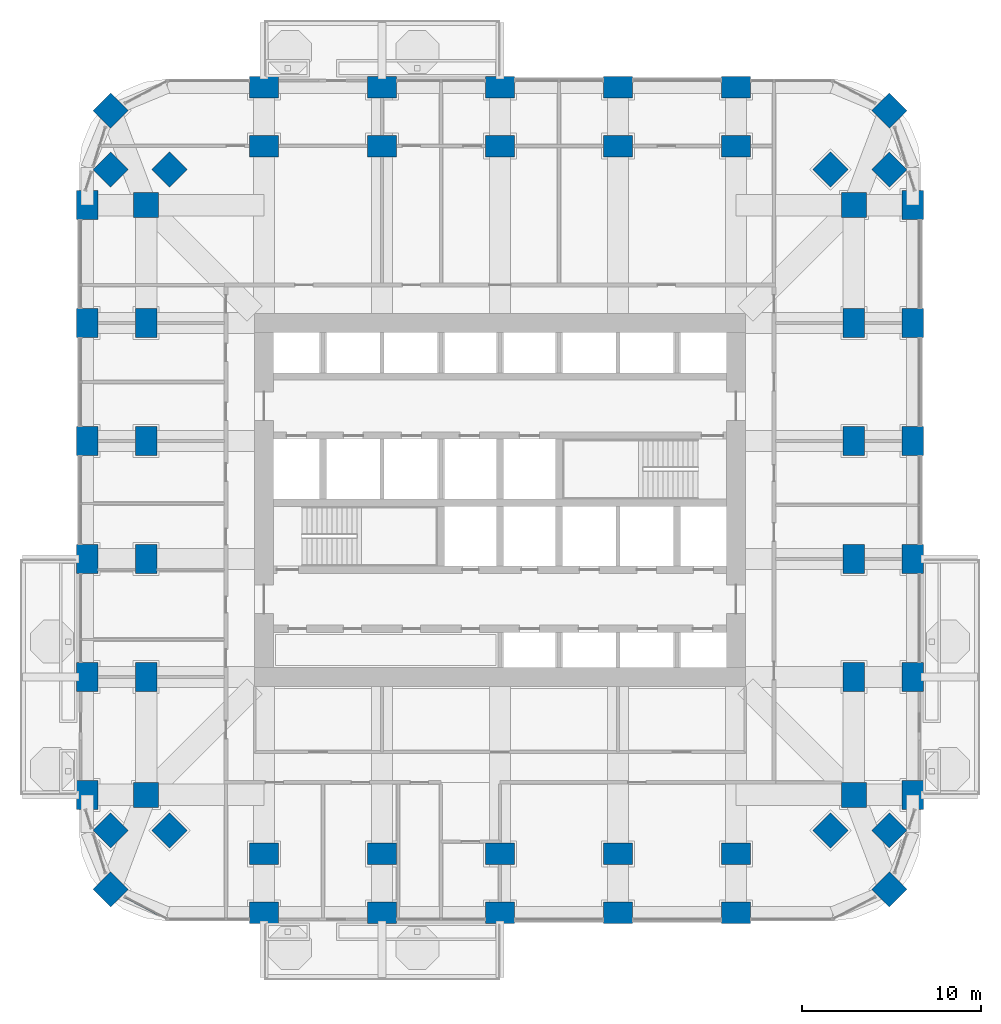
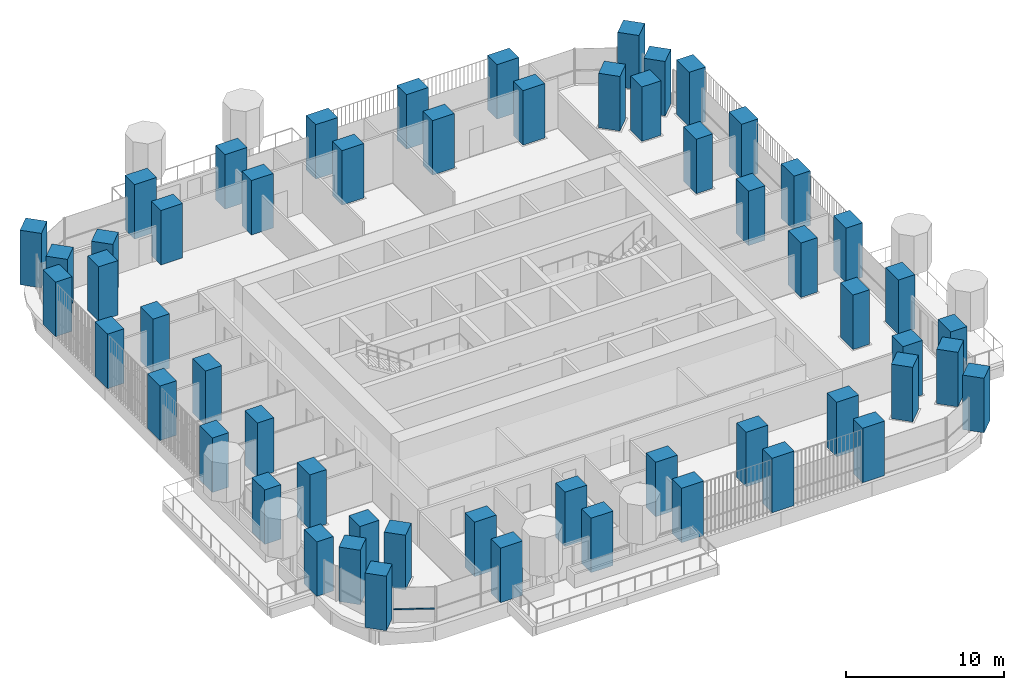
# One storey, part 1 of 21: 56 columns, 1 member, 1 element without a shape of its own.
"""IFC4 building model written with IfcOpenShell, lengths in metres."""

import ifcopenshell
import ifcopenshell.guid

model = None  # the IFC model being written
_history = None  # IfcOwnerHistory: only IFC2X3 demands one
_inside = {}  # id of a spatial element -> (the spatial element, [elements in it])
_under = {}  # id of a project, library or spatial element -> (it, [spatial elements below it])
_declared = {}  # id of a project -> (the project, [libraries it declares])
_typed = {}  # id of a type object -> (the type object, [elements of that type])
_made_of = {}  # id of a material, layer set ... -> (it, [elements and type objects made of it])


def new_model(schema):
    """Start an empty IFC model of exactly this schema.

    Asked for "IFC4X3", IfcOpenShell would pick the latest addendum, in which some entities
    have other attributes; the version numbers below select the first issue.
    IFC2X3 requires an IfcOwnerHistory on every rooted entity: one is made here for all.
    """
    global model, _history
    if schema == "IFC4X3":
        model = ifcopenshell.file(schema_version=(4, 3, 0, 0))
    else:
        model = ifcopenshell.file(schema=schema)
    _inside.clear()
    _under.clear()
    _declared.clear()
    _typed.clear()
    _made_of.clear()
    _history = None
    if model.schema == "IFC2X3":
        org = make("IfcOrganization", Name="unknown")
        user = make(
            "IfcPersonAndOrganization",
            ThePerson=make("IfcPerson", FamilyName="unknown"),
            TheOrganization=org,
        )
        app = make(
            "IfcApplication",
            ApplicationDeveloper=org,
            Version="unknown",
            ApplicationFullName="unknown",
            ApplicationIdentifier="unknown",
        )
        _history = make(
            "IfcOwnerHistory",
            OwningUser=user,
            OwningApplication=app,
            ChangeAction="ADDED",
            CreationDate=0,
        )
    return model


def make(cls, **values):
    """One entity of the class cls with the attributes given. An attribute that is None is left unset."""
    return model.create_entity(
        cls, **{name: value for name, value in values.items() if value is not None}
    )


def rooted(cls, **values):
    """An entity with a GlobalId (a new one), such as an element, a storey or a relation."""
    return make(cls, GlobalId=ifcopenshell.guid.new(), OwnerHistory=_history, **values)


def si_unit(unit_type, name, prefix=None):
    """IfcSIUnit, for example si_unit("LENGTHUNIT", "METRE", prefix="MILLI")."""
    return make("IfcSIUnit", UnitType=unit_type, Prefix=prefix, Name=name)


def assignment(units):
    """IfcUnitAssignment: the units of a project."""
    return None if units is None else make("IfcUnitAssignment", Units=units)


def point(xyz):
    """IfcCartesianPoint."""
    return None if xyz is None else make("IfcCartesianPoint", Coordinates=xyz)


def direction(xyz):
    """IfcDirection."""
    return None if xyz is None else make("IfcDirection", DirectionRatios=xyz)


def frame(location, z_axis=None, x_axis=None):
    """IfcAxis2Placement3D, a coordinate frame: its origin and axes. An axis left out is left unset."""
    return make(
        "IfcAxis2Placement3D",
        Location=point(location),
        Axis=direction(z_axis),
        RefDirection=direction(x_axis),
    )


def frame_2d(location, x_axis=None):
    """IfcAxis2Placement2D, a coordinate frame in the plane: its origin and x axis."""
    return make(
        "IfcAxis2Placement2D", Location=point(location), RefDirection=direction(x_axis)
    )


def origin():
    """The frame at (0, 0, 0) with its axes left unset."""
    return frame((0.0, 0.0, 0.0))


def origin_2d():
    """The frame at (0, 0) in the plane with its x axis left unset."""
    return frame_2d((0.0, 0.0))


def place(relative_to, where):
    """IfcLocalPlacement: puts the frame where relative to a parent placement (None: the world)."""
    return make(
        "IfcLocalPlacement", PlacementRelTo=relative_to, RelativePlacement=where
    )


def context(
    kind, dimensions, precision=None, world=None, true_north=None, identifier=None
):
    """IfcGeometricRepresentationContext, for example the 3D "Model" context."""
    return make(
        "IfcGeometricRepresentationContext",
        ContextIdentifier=identifier,
        ContextType=kind,
        CoordinateSpaceDimension=dimensions,
        Precision=precision,
        WorldCoordinateSystem=world,
        TrueNorth=true_north,
    )


def subcontext(parent, identifier, kind, view, scale=None):
    """IfcGeometricRepresentationSubContext, for example "Body" below "Model"."""
    return make(
        "IfcGeometricRepresentationSubContext",
        ContextIdentifier=identifier,
        ContextType=kind,
        ParentContext=parent,
        TargetScale=scale,
        TargetView=view,
    )


def project(units=None, contexts=None):
    """IfcProject with its units and contexts."""
    return rooted(
        "IfcProject",
        Name="project",
        RepresentationContexts=contexts,
        UnitsInContext=assignment(units),
    )


def spatial(cls, under=None, at=None, **own):
    """A site, building, storey or space (cls), placed at a placement, below another one or the project."""
    s = rooted(cls, ObjectPlacement=at, **own)
    if under is not None:
        _under.setdefault(under.id(), (under, []))[1].append(s)
    return s


def profile(cls, at=None, kind="AREA", **sizes):
    """A parametric profile (cls). Its sizes go by their IFC names, for example OverallWidth=200.0."""
    return make(cls, ProfileType=kind, Position=at, **sizes)


def rectangle(**sizes):
    """IfcRectangleProfileDef."""
    return profile("IfcRectangleProfileDef", **sizes)


def extrude(swept, where, along, depth):
    """IfcExtrudedAreaSolid: the profile swept, set in the frame where, extruded along a direction by depth."""
    return make(
        "IfcExtrudedAreaSolid",
        SweptArea=swept,
        Position=where,
        ExtrudedDirection=direction(along),
        Depth=depth,
    )


def shape(context_of_items, identifier, shape_type, items):
    """IfcShapeRepresentation: the items that make up one representation, for example the "Body"."""
    return make(
        "IfcShapeRepresentation",
        ContextOfItems=context_of_items,
        RepresentationIdentifier=identifier,
        RepresentationType=shape_type,
        Items=items,
    )


def material(Name=None, Category=None):
    """IfcMaterial."""
    return make("IfcMaterial", Name=Name, Category=Category)


def material_profile(
    of_material, cross_section, Name=None, Category=None, Priority=None
):
    """IfcMaterialProfile: a cross section and its material."""
    return make(
        "IfcMaterialProfile",
        Name=Name,
        Material=of_material,
        Profile=cross_section,
        Priority=Priority,
        Category=Category,
    )


def profile_set(profiles, Name=None, composite=None):
    """IfcMaterialProfileSet."""
    return make(
        "IfcMaterialProfileSet",
        Name=Name,
        MaterialProfiles=profiles,
        CompositeProfile=composite,
    )


def made_of(thing, what):
    """Note that an element or type object is made of a material, layer set ...; save() writes the relation."""
    if what is not None:
        _made_of.setdefault(what.id(), (what, []))[1].append(thing)
    return thing


def type_object(cls, material=None, **own):
    """A type object (cls), such as IfcWallType, which elements share."""
    return made_of(rooted(cls, **own), material)


def element(
    cls,
    number,
    at=None,
    inside=None,
    cuts=None,
    type_object=None,
    material=None,
    context=None,
    identifier="Body",
    shape_type=None,
    held_by="IfcProductDefinitionShape",
    body=None,
    shapes=None,
    **own,
):
    """One element of the class cls, such as IfcWall. Its Tag is "e" and its number.

    at: its placement. inside: the storey or other place that contains it. cuts: it is an
    opening in that element (IfcRelVoidsElement). A single representation is given by context,
    identifier, shape_type and body (its items); several are given by shapes. held_by: the class
    of the entity that holds the representations. save() writes the other relations.
    """
    e = rooted(cls, Tag="e%d" % number, ObjectPlacement=at, **own)
    if body is not None:
        shapes = [shape(context, identifier, shape_type, body)]
    if shapes is not None:
        e.Representation = make(held_by, Representations=shapes)
    if inside is not None:
        _inside.setdefault(inside.id(), (inside, []))[1].append(e)
    if cuts is not None:
        rooted(
            "IfcRelVoidsElement", RelatingBuildingElement=cuts, RelatedOpeningElement=e
        )
    if type_object is not None:
        _typed.setdefault(type_object.id(), (type_object, []))[1].append(e)
    return made_of(e, material)


def aggregate(whole, parts):
    """IfcRelAggregates: a whole, such as a stair, and the parts it consists of."""
    return rooted("IfcRelAggregates", RelatingObject=whole, RelatedObjects=parts)


def save(model, path):
    """Write the relations noted so far, then the file.

    IfcRelAggregates (storeys below a building ...), IfcRelContainedInSpatialStructure (elements
    in a storey), IfcRelDefinesByType, IfcRelAssociatesMaterial and IfcRelDeclares: one each for
    every whole, place, type object, material and project.
    """
    for whole, parts in _under.values():
        aggregate(whole, parts)
    for where, things in _inside.values():
        rooted(
            "IfcRelContainedInSpatialStructure",
            RelatedElements=things,
            RelatingStructure=where,
        )
    for kind, things in _typed.values():
        rooted("IfcRelDefinesByType", RelatedObjects=things, RelatingType=kind)
    for what, things in _made_of.values():
        rooted("IfcRelAssociatesMaterial", RelatedObjects=things, RelatingMaterial=what)
    for by, libraries in _declared.values():
        rooted("IfcRelDeclares", RelatingContext=by, RelatedDefinitions=libraries)
    model.write(path)


model = new_model("IFC4")

# Units and contexts
model_context = context("Model", 3, precision=1e-05, world=origin(), true_north=direction((0.0, 1.0)))
body_context = subcontext(model_context, "Body", "Model", "MODEL_VIEW")
ifc_project = project(units=[si_unit("LENGTHUNIT", "METRE"), si_unit("AREAUNIT", "SQUARE_METRE"), si_unit("VOLUMEUNIT", "CUBIC_METRE"), si_unit("PLANEANGLEUNIT", "RADIAN"), si_unit("MASSUNIT", "GRAM", prefix="KILO")], contexts=[model_context])

# Site, building, storey
site_placement = place(None, origin())
site = spatial("IfcSite", under=ifc_project, at=site_placement, CompositionType="ELEMENT")
building_placement = place(site_placement, origin())
building = spatial("IfcBuilding", under=site, at=building_placement, Name="Cobogo Forest Laboratory Tower", CompositionType="ELEMENT")
storey_placement = place(building_placement, frame((0.0, 0.0, 90.60009765625)))
storey = spatial("IfcBuildingStorey", under=building, at=storey_placement, Name="L20", CompositionType="ELEMENT", Elevation=90.60009765625)

# Columns
ifc_material_1 = material(Name="Concrete HA-50 (C50/60)", Category="concrete")
ifc_material_profile_1 = material_profile(ifc_material_1, rectangle(XDim=1.60009765625, YDim=1.199951171875, at=origin_2d()), Name="RC 1200x1600")
ifc_profile_set_1 = profile_set([ifc_material_profile_1], Name="Concrete HA-50 (C50/60)")
column_type_1 = type_object("IfcColumnType", Name="Blade column 1200x1600", PredefinedType="COLUMN", material=ifc_profile_set_1)
for number, where, z_axis, x_axis, name in (
    (1, (13.199951171875, 0.0, 0.0), (0.0, 0.0, 1.0), (1.0, 0.0, 0.0), "Column 3-A L20"),
    (2, (19.800048828125, 0.0, 0.0), (0.0, 0.0, 1.0), (1.0, 0.0, 0.0), "Column 4-A L20"),
    (3, (26.39990234375, 0.0, 0.0), (0.0, 0.0, 1.0), (1.0, 0.0, 0.0), "Column 5-A L20"),
    (4, (33.0, 0.0, 0.0), (0.0, 0.0, 1.0), (1.0, 0.0, 0.0), "Column 6-A L20"),
    (5, (39.60009765625, 0.0, 0.0), (0.0, 0.0, 1.0), (1.0, 0.0, 0.0), "Column 7-A L20"),
    (6, (3.300048828125, 6.60009765625, 0.0), (0.0, 0.0, 1.0), (0.0, 1.0, 0.0), "Column 1.1-B L20"),
    (7, (49.5, 6.60009765625, 0.0), (0.0, 0.0, 1.0), (0.0, 1.0, 0.0), "Column 8.1-B L20"),
    (8, (3.300048828125, 13.199951171875, 0.0), (0.0, 0.0, 1.0), (0.0, 1.0, 0.0), "Column 1.1-C L20"),
    (9, (49.5, 13.199951171875, 0.0), (0.0, 0.0, 1.0), (0.0, 1.0, 0.0), "Column 8.1-C L20"),
    (10, (3.300048828125, 19.800048828125, 0.0), (0.0, 0.0, 1.0), (0.0, 1.0, 0.0), "Column 1.1-D L20"),
    (11, (49.5, 19.800048828125, 0.0), (0.0, 0.0, 1.0), (0.0, 1.0, 0.0), "Column 8.1-D L20"),
    (12, (3.300048828125, 26.39990234375, 0.0), (0.0, 0.0, 1.0), (0.0, 1.0, 0.0), "Column 1.1-E L20"),
    (13, (49.5, 26.39990234375, 0.0), (0.0, 0.0, 1.0), (0.0, 1.0, 0.0), "Column 8.1-E L20"),
    (14, (3.300048828125, 33.0, 0.0), (0.0, 0.0, 1.0), (0.0, 1.0, 0.0), "Column 1.1-F L20"),
    (15, (49.5, 33.0, 0.0), (0.0, 0.0, 1.0), (0.0, 1.0, 0.0), "Column 8.1-F L20"),
    (16, (3.300048828125, 39.60009765625, 0.0), (0.0, 0.0, 1.0), (0.0, 1.0, 0.0), "Column 1.1-G L20"),
    (17, (49.5, 39.60009765625, 0.0), (0.0, 0.0, 1.0), (0.0, 1.0, 0.0), "Column 8.1-G L20"),
    (18, (13.199951171875, 46.199951171875, 0.0), (0.0, 0.0, 1.0), (1.0, 0.0, 0.0), "Column 3-H L20"),
    (19, (19.800048828125, 46.199951171875, 0.0), (0.0, 0.0, 1.0), (1.0, 0.0, 0.0), "Column 4-H L20"),
    (20, (26.39990234375, 46.199951171875, 0.0), (0.0, 0.0, 1.0), (1.0, 0.0, 0.0), "Column 5-H L20"),
    (21, (33.0, 46.199951171875, 0.0), (0.0, 0.0, 1.0), (1.0, 0.0, 0.0), "Column 6-H L20"),
    (22, (39.60009765625, 46.199951171875, 0.0), (0.0, 0.0, 1.0), (1.0, 0.0, 0.0), "Column 7-H L20"),
    (23, (13.199951171875, 3.300048828125, 0.0), (0.0, 0.0, 1.0), (1.0, 0.0, 0.0), "Column 3-A.1-C L20"),
    (24, (19.800048828125, 3.300048828125, 0.0), (0.0, 0.0, 1.0), (1.0, 0.0, 0.0), "Column 4-A.1-C L20"),
    (25, (26.39990234375, 3.300048828125, 0.0), (0.0, 0.0, 1.0), (1.0, 0.0, 0.0), "Column 5-A.1-C L20"),
    (26, (33.0, 3.300048828125, 0.0), (0.0, 0.0, 1.0), (1.0, 0.0, 0.0), "Column 6-A.1-C L20"),
    (27, (39.60009765625, 3.300048828125, 0.0), (0.0, 0.0, 1.0), (1.0, 0.0, 0.0), "Column 7-A.1-C L20"),
    (28, (13.199951171875, 42.89990234375, 0.0), (0.0, 0.0, 1.0), (1.0, 0.0, 0.0), "Column 3-G.1-C L20"),
    (29, (19.800048828125, 42.89990234375, 0.0), (0.0, 0.0, 1.0), (1.0, 0.0, 0.0), "Column 4-G.1-C L20"),
    (30, (26.39990234375, 42.89990234375, 0.0), (0.0, 0.0, 1.0), (1.0, 0.0, 0.0), "Column 5-G.1-C L20"),
    (31, (33.0, 42.89990234375, 0.0), (0.0, 0.0, 1.0), (1.0, 0.0, 0.0), "Column 6-G.1-C L20"),
    (32, (39.60009765625, 42.89990234375, 0.0), (0.0, 0.0, 1.0), (1.0, 0.0, 0.0), "Column 7-G.1-C L20"),
    (33, (6.60009765625, 13.199951171875, 0.0), (0.0, 0.0, 1.0), (0.0, 1.0, 0.0), "Column 2-C-D L20"),
    (34, (46.199951171875, 13.199951171875, 0.0), (0.0, 0.0, 1.0), (0.0, 1.0, 0.0), "Column 8-C-D L20"),
    (35, (6.60009765625, 19.800048828125, 0.0), (0.0, 0.0, 1.0), (0.0, 1.0, 0.0), "Column 2-D-D L20"),
    (36, (46.199951171875, 19.800048828125, 0.0), (0.0, 0.0, 1.0), (0.0, 1.0, 0.0), "Column 8-D-D L20"),
    (37, (6.60009765625, 26.39990234375, 0.0), (0.0, 0.0, 1.0), (0.0, 1.0, 0.0), "Column 2-E-D L20"),
    (38, (46.199951171875, 26.39990234375, 0.0), (0.0, 0.0, 1.0), (0.0, 1.0, 0.0), "Column 8-E-D L20"),
    (39, (6.60009765625, 33.0, 0.0), (0.0, 0.0, 1.0), (0.0, 1.0, 0.0), "Column 2-F-D L20"),
    (40, (46.199951171875, 33.0, 0.0), (0.0, 0.0, 1.0), (0.0, 1.0, 0.0), "Column 8-F-D L20"),
):
    element("IfcColumn", number, at=place(storey_placement, frame(where, z_axis=z_axis, x_axis=x_axis)), inside=storey, type_object=column_type_1, Name=name, PredefinedType="COLUMN", context=body_context, shape_type="SweptSolid", body=[
        extrude(rectangle(XDim=1.60009765625, YDim=1.199951171875, at=origin_2d()), origin(), (0.0, 0.0, 1.0), 4.199951171875),
    ])
ifc_material_profile_2 = material_profile(ifc_material_1, rectangle(XDim=1.39990234375, YDim=1.39990234375, at=origin_2d()), Name="RC 1400x1400")
ifc_profile_set_2 = profile_set([ifc_material_profile_2], Name="Concrete HA-50 (C50/60)")
column_type_2 = type_object("IfcColumnType", Name="Column 1400x1400", PredefinedType="COLUMN", material=ifc_profile_set_2)
for number, where, z_axis, x_axis, name in (
    (41, (4.617919921875, 1.318115234375, 0.0), (0.0, 0.0, 1.0), (0.707106781187, 0.707106781187, 0.0), "Column CNR-SW L20"),
    (42, (48.181884765625, 1.318115234375, 0.0), (0.0, 0.0, 1.0), (0.707106781187, 0.707106781187, 0.0), "Column CNR-SE L20"),
    (43, (4.617919921875, 44.882080078125, 0.0), (0.0, 0.0, 1.0), (0.707106781187, 0.707106781187, 0.0), "Column CNR-NW L20"),
    (44, (48.181884765625, 44.882080078125, 0.0), (0.0, 0.0, 1.0), (0.707106781187, 0.707106781187, 0.0), "Column CNR-NE L20"),
    (45, (6.60009765625, 6.60009765625, 0.0), (0.0, 0.0, 1.0), (1.0, 0.0, 0.0), "Column 2-B L20"),
    (46, (46.199951171875, 6.60009765625, 0.0), (0.0, 0.0, 1.0), (1.0, 0.0, 0.0), "Column 8-B L20"),
    (47, (6.60009765625, 39.60009765625, 0.0), (0.0, 0.0, 1.0), (1.0, 0.0, 0.0), "Column 2-G L20"),
    (48, (46.199951171875, 39.60009765625, 0.0), (0.0, 0.0, 1.0), (1.0, 0.0, 0.0), "Column 8-G L20"),
    (49, (4.617919921875, 4.617919921875, 0.0), (0.0, 0.0, 1.0), (0.707106781187, 0.707106781187, 0.0), "Column CNR-SW-C L20"),
    (50, (48.181884765625, 4.617919921875, 0.0), (0.0, 0.0, 1.0), (0.707106781187, 0.707106781187, 0.0), "Column CNR-SE-C L20"),
    (51, (4.617919921875, 41.58203125, 0.0), (0.0, 0.0, 1.0), (0.707106781187, 0.707106781187, 0.0), "Column CNR-NW-C L20"),
    (52, (48.181884765625, 41.58203125, 0.0), (0.0, 0.0, 1.0), (0.707106781187, 0.707106781187, 0.0), "Column CNR-NE-C L20"),
    (53, (7.91796875, 4.617919921875, 0.0), (0.0, 0.0, 1.0), (0.707106781187, 0.707106781187, 0.0), "Column CNR-SW-D L20"),
    (54, (44.882080078125, 4.617919921875, 0.0), (0.0, 0.0, 1.0), (0.707106781187, 0.707106781187, 0.0), "Column CNR-SE-D L20"),
    (55, (7.91796875, 41.58203125, 0.0), (0.0, 0.0, 1.0), (0.707106781187, 0.707106781187, 0.0), "Column CNR-NW-D L20"),
    (56, (44.882080078125, 41.58203125, 0.0), (0.0, 0.0, 1.0), (0.707106781187, 0.707106781187, 0.0), "Column CNR-NE-D L20"),
):
    element("IfcColumn", number, at=place(storey_placement, frame(where, z_axis=z_axis, x_axis=x_axis)), inside=storey, type_object=column_type_2, Name=name, PredefinedType="COLUMN", context=body_context, shape_type="SweptSolid", body=[
        extrude(rectangle(XDim=1.39990234375, YDim=1.39990234375, at=origin_2d()), origin(), (0.0, 0.0, 1.0), 4.199951171875),
    ])

# Curtain wall, member
ifc_material_2 = material(Name="Aluminium curtain wall", Category="aluminium")
curtain_wall_type = type_object("IfcCurtainWallType", Name="CW-1 unitised curtain wall, clear glazing, laboratory floors zones A and B", PredefinedType="USERDEFINED", material=ifc_material_2)
curtain_wall_placement = place(storey_placement, origin())
curtain_wall = element("IfcCurtainWall", 57, at=curtain_wall_placement, inside=storey, type_object=curtain_wall_type, Name="Curtain wall 34 L20", ObjectType="UNITISED CURTAIN WALL", PredefinedType="USERDEFINED")
ifc_material_3 = material(Name="Aluminium transom", Category="aluminium")
ifc_material_profile_3 = material_profile(ifc_material_3, rectangle(XDim=0.1201171875, YDim=0.06005859375, at=origin_2d()), Name="AL 60x120")
ifc_profile_set_3 = profile_set([ifc_material_profile_3], Name="Aluminium transom")
member_type = type_object("IfcMemberType", Name="TR-1 aluminium transom 60x120", PredefinedType="USERDEFINED", material=ifc_profile_set_3)
member_placement = place(storey_placement, frame((5.441162109375, 0.886474609375, 1.0498046875), z_axis=(0.885710351562, -0.464238271943, 0.0), x_axis=(0.464238271943, 0.885710351562, 0.0)))
member = element("IfcMember", 58, at=member_placement, type_object=member_type, Name="CW-1 transom 1.1", ObjectType="TRANSOM", PredefinedType="USERDEFINED", context=body_context, shape_type="SweptSolid", body=[
    extrude(rectangle(XDim=0.1201171875, YDim=0.06005859375, at=origin_2d()), origin(), (0.0, 0.0, 1.0), 2.603271484375),
])
aggregate(curtain_wall, [member])

save(model, "model.ifc")
